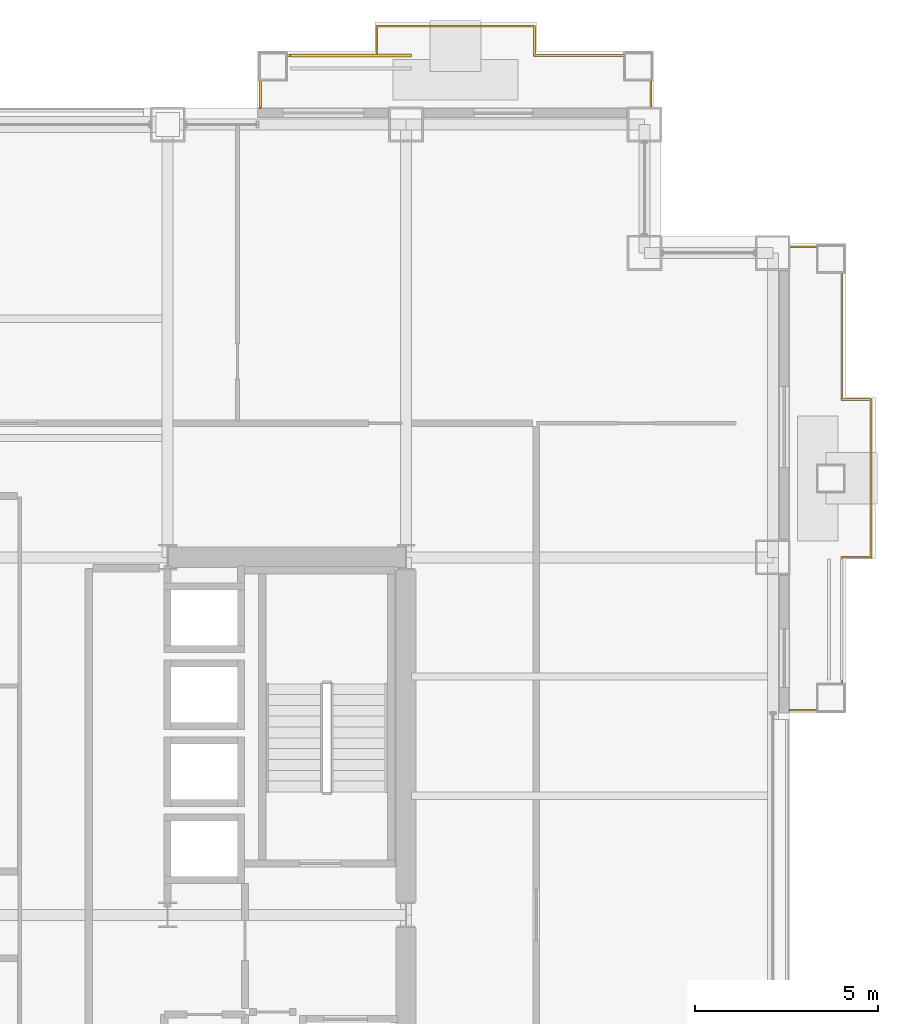
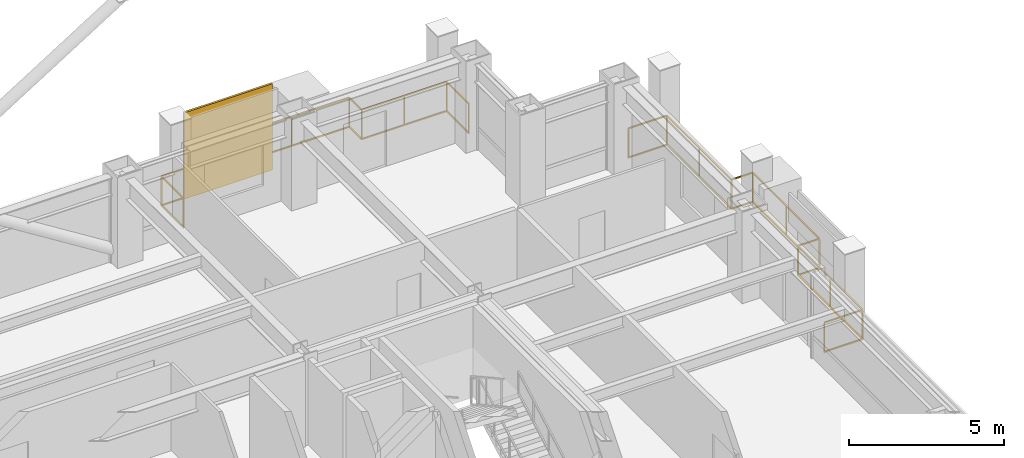
# One storey, part 32 of 33: 2 railings, 1 shading device.
"""IFC4 building model written with IfcOpenShell, lengths in metres."""

from ifc_helpers import new_model, si_unit, direction, frame, origin, origin_2d, place, context, subcontext, project, spatial, rectangle, extrude, material, layer, layer_set, type_object, element, save


model = new_model("IFC4")

# Units and contexts
model_context = context("Model", 3, precision=1e-05, world=origin(), true_north=direction((0.0, 1.0)))
body_context = subcontext(model_context, "Body", "Model", "MODEL_VIEW")
ifc_project = project(units=[si_unit("LENGTHUNIT", "METRE"), si_unit("AREAUNIT", "SQUARE_METRE"), si_unit("VOLUMEUNIT", "CUBIC_METRE"), si_unit("PLANEANGLEUNIT", "RADIAN"), si_unit("MASSUNIT", "GRAM", prefix="KILO")], contexts=[model_context])

# Site, building, storey
site_placement = place(None, origin())
site = spatial("IfcSite", under=ifc_project, at=site_placement, CompositionType="ELEMENT")
building_placement = place(site_placement, origin())
building = spatial("IfcBuilding", under=site, at=building_placement, Name="Brelmoor Portico Tower", CompositionType="ELEMENT")
storey_placement = place(building_placement, frame((0.0, 0.0, 34.800048828125)))
storey = spatial("IfcBuildingStorey", under=building, at=storey_placement, Name="L08", CompositionType="ELEMENT", Elevation=34.800048828125)

# Railings
ifc_material_1 = material(Name="Perforated Pale Champagne Aluminium Fretwork Guard", Category="aluminium")
railing_type = type_object("IfcRailingType", Name="RL-BALUSTRADE-1200", PredefinedType="BALUSTRADE", material=ifc_material_1)
railing_1_placement = place(storey_placement, frame((10.580078125, 22.0, 0.0)))
element("IfcRailing", 1, at=railing_1_placement, inside=storey, type_object=railing_type, Name="L08 Tree Balcony Fretwork Balustrade N", PredefinedType="BALUSTRADE", context=body_context, shape_type="SweptSolid", body=[
    extrude(rectangle(XDim=0.048095703125, YDim=0.048095703125, at=origin_2d()), frame((0.0, 0.0, 1.17578125), z_axis=(0.0, 1.0, 0.0), x_axis=(-1.0, 0.0, 0.0)), (0.0, 0.0, 1.0), 1.429931640625),
    extrude(rectangle(XDim=0.048095703125, YDim=0.048095703125, at=origin_2d()), frame((0.0, 0.0, 0.02392578125), z_axis=(0.0, 1.0, 0.0), x_axis=(-1.0, 0.0, 0.0)), (0.0, 0.0, 1.0), 1.429931640625),
    extrude(rectangle(XDim=0.048095703125, YDim=0.048095703125, at=origin_2d()), frame((0.0, 1.429931640625, 1.17578125), z_axis=(1.0, 0.0, 0.0), x_axis=(0.0, 1.0, 0.0)), (0.0, 0.0, 1.0), 3.169921875),
    extrude(rectangle(XDim=0.048095703125, YDim=0.048095703125, at=origin_2d()), frame((0.0, 1.429931640625, 0.02392578125), z_axis=(1.0, 0.0, 0.0), x_axis=(0.0, 1.0, 0.0)), (0.0, 0.0, 1.0), 3.169921875),
    extrude(rectangle(XDim=0.048095703125, YDim=0.048095703125, at=origin_2d()), frame((3.169921875, 1.429931640625, 1.17578125), z_axis=(0.0, 1.0, 0.0), x_axis=(-1.0, 0.0, 0.0)), (0.0, 0.0, 1.0), 0.800048828125),
    extrude(rectangle(XDim=0.048095703125, YDim=0.048095703125, at=origin_2d()), frame((3.169921875, 1.429931640625, 0.02392578125), z_axis=(0.0, 1.0, 0.0), x_axis=(-1.0, 0.0, 0.0)), (0.0, 0.0, 1.0), 0.800048828125),
    extrude(rectangle(XDim=0.048095703125, YDim=0.048095703125, at=origin_2d()), frame((3.169921875, 2.22998046875, 1.17578125), z_axis=(1.0, 0.0, 0.0), x_axis=(0.0, 1.0, 0.0)), (0.0, 0.0, 1.0), 4.300048828125),
    extrude(rectangle(XDim=0.048095703125, YDim=0.048095703125, at=origin_2d()), frame((3.169921875, 2.22998046875, 0.02392578125), z_axis=(1.0, 0.0, 0.0), x_axis=(0.0, 1.0, 0.0)), (0.0, 0.0, 1.0), 4.300048828125),
    extrude(rectangle(XDim=0.048095703125, YDim=0.048095703125, at=origin_2d()), frame((7.469970703125, 2.22998046875, 1.17578125), z_axis=(0.0, -1.0, 0.0), x_axis=(1.0, 0.0, 0.0)), (0.0, 0.0, 1.0), 0.800048828125),
    extrude(rectangle(XDim=0.048095703125, YDim=0.048095703125, at=origin_2d()), frame((7.469970703125, 2.22998046875, 0.02392578125), z_axis=(0.0, -1.0, 0.0), x_axis=(1.0, 0.0, 0.0)), (0.0, 0.0, 1.0), 0.800048828125),
    extrude(rectangle(XDim=0.048095703125, YDim=0.048095703125, at=origin_2d()), frame((7.469970703125, 1.429931640625, 1.17578125), z_axis=(1.0, 0.0, 0.0), x_axis=(0.0, 1.0, 0.0)), (0.0, 0.0, 1.0), 3.169921875),
    extrude(rectangle(XDim=0.048095703125, YDim=0.048095703125, at=origin_2d()), frame((7.469970703125, 1.429931640625, 0.02392578125), z_axis=(1.0, 0.0, 0.0), x_axis=(0.0, 1.0, 0.0)), (0.0, 0.0, 1.0), 3.169921875),
    extrude(rectangle(XDim=0.048095703125, YDim=0.048095703125, at=origin_2d()), frame((10.639892578125, 1.429931640625, 1.17578125), z_axis=(0.0, -1.0, 0.0), x_axis=(1.0, 0.0, 0.0)), (0.0, 0.0, 1.0), 1.429931640625),
    extrude(rectangle(XDim=0.048095703125, YDim=0.048095703125, at=origin_2d()), frame((10.639892578125, 1.429931640625, 0.02392578125), z_axis=(0.0, -1.0, 0.0), x_axis=(1.0, 0.0, 0.0)), (0.0, 0.0, 1.0), 1.429931640625),
    extrude(rectangle(XDim=0.0419921875, YDim=0.0419921875, at=origin_2d()), origin(), (0.0, 0.0, 1.0), 1.15185546875),
    extrude(rectangle(XDim=0.0419921875, YDim=0.0419921875, at=origin_2d()), frame((0.0, 1.429931640625, 0.0)), (0.0, 0.0, 1.0), 1.15185546875),
    extrude(rectangle(XDim=0.0419921875, YDim=0.0419921875, at=origin_2d()), frame((1.5849609375, 1.429931640625, 0.0)), (0.0, 0.0, 1.0), 1.15185546875),
    extrude(rectangle(XDim=0.0419921875, YDim=0.0419921875, at=origin_2d()), frame((3.169921875, 1.429931640625, 0.0)), (0.0, 0.0, 1.0), 1.15185546875),
    extrude(rectangle(XDim=0.0419921875, YDim=0.0419921875, at=origin_2d()), frame((3.169921875, 2.22998046875, 0.0)), (0.0, 0.0, 1.0), 1.15185546875),
    extrude(rectangle(XDim=0.0419921875, YDim=0.0419921875, at=origin_2d()), frame((5.31982421875, 2.22998046875, 0.0)), (0.0, 0.0, 1.0), 1.15185546875),
    extrude(rectangle(XDim=0.0419921875, YDim=0.0419921875, at=origin_2d()), frame((7.469970703125, 2.22998046875, 0.0)), (0.0, 0.0, 1.0), 1.15185546875),
    extrude(rectangle(XDim=0.0419921875, YDim=0.0419921875, at=origin_2d()), frame((7.469970703125, 1.429931640625, 0.0)), (0.0, 0.0, 1.0), 1.15185546875),
    extrude(rectangle(XDim=0.0419921875, YDim=0.0419921875, at=origin_2d()), frame((9.054931640625, 1.429931640625, 0.0)), (0.0, 0.0, 1.0), 1.15185546875),
    extrude(rectangle(XDim=0.0419921875, YDim=0.0419921875, at=origin_2d()), frame((10.639892578125, 1.429931640625, 0.0)), (0.0, 0.0, 1.0), 1.15185546875),
    extrude(rectangle(XDim=0.0419921875, YDim=0.0419921875, at=origin_2d()), frame((10.639892578125, 0.0, 0.0)), (0.0, 0.0, 1.0), 1.15185546875),
])
railing_2_placement = place(storey_placement, frame((25.0, 5.580078125, 0.0)))
element("IfcRailing", 2, at=railing_2_placement, inside=storey, type_object=railing_type, Name="L08 Tree Balcony Fretwork Balustrade E", PredefinedType="BALUSTRADE", context=body_context, shape_type="SweptSolid", body=[
    extrude(rectangle(XDim=0.048095703125, YDim=0.048095703125, at=origin_2d()), frame((0.0, 0.0, 1.17578125), z_axis=(1.0, 0.0, 0.0), x_axis=(0.0, 1.0, 0.0)), (0.0, 0.0, 1.0), 1.429931640625),
    extrude(rectangle(XDim=0.048095703125, YDim=0.048095703125, at=origin_2d()), frame((0.0, 0.0, 0.02392578125), z_axis=(1.0, 0.0, 0.0), x_axis=(0.0, 1.0, 0.0)), (0.0, 0.0, 1.0), 1.429931640625),
    extrude(rectangle(XDim=0.048095703125, YDim=0.048095703125, at=origin_2d()), frame((1.429931640625, 0.0, 1.17578125), z_axis=(0.0, 1.0, 0.0), x_axis=(-1.0, 0.0, 0.0)), (0.0, 0.0, 1.0), 4.169921875),
    extrude(rectangle(XDim=0.048095703125, YDim=0.048095703125, at=origin_2d()), frame((1.429931640625, 0.0, 0.02392578125), z_axis=(0.0, 1.0, 0.0), x_axis=(-1.0, 0.0, 0.0)), (0.0, 0.0, 1.0), 4.169921875),
    extrude(rectangle(XDim=0.048095703125, YDim=0.048095703125, at=origin_2d()), frame((1.429931640625, 4.169921875, 1.17578125), z_axis=(1.0, 0.0, 0.0), x_axis=(0.0, 1.0, 0.0)), (0.0, 0.0, 1.0), 0.800048828125),
    extrude(rectangle(XDim=0.048095703125, YDim=0.048095703125, at=origin_2d()), frame((1.429931640625, 4.169921875, 0.02392578125), z_axis=(1.0, 0.0, 0.0), x_axis=(0.0, 1.0, 0.0)), (0.0, 0.0, 1.0), 0.800048828125),
    extrude(rectangle(XDim=0.048095703125, YDim=0.048095703125, at=origin_2d()), frame((2.22998046875, 4.169921875, 1.17578125), z_axis=(0.0, 1.0, 0.0), x_axis=(-1.0, 0.0, 0.0)), (0.0, 0.0, 1.0), 4.300048828125),
    extrude(rectangle(XDim=0.048095703125, YDim=0.048095703125, at=origin_2d()), frame((2.22998046875, 4.169921875, 0.02392578125), z_axis=(0.0, 1.0, 0.0), x_axis=(-1.0, 0.0, 0.0)), (0.0, 0.0, 1.0), 4.300048828125),
    extrude(rectangle(XDim=0.048095703125, YDim=0.048095703125, at=origin_2d()), frame((2.22998046875, 8.469970703125, 1.17578125), z_axis=(-1.0, 0.0, 0.0), x_axis=(0.0, -1.0, 0.0)), (0.0, 0.0, 1.0), 0.800048828125),
    extrude(rectangle(XDim=0.048095703125, YDim=0.048095703125, at=origin_2d()), frame((2.22998046875, 8.469970703125, 0.02392578125), z_axis=(-1.0, 0.0, 0.0), x_axis=(0.0, -1.0, 0.0)), (0.0, 0.0, 1.0), 0.800048828125),
    extrude(rectangle(XDim=0.048095703125, YDim=0.048095703125, at=origin_2d()), frame((1.429931640625, 8.469970703125, 1.17578125), z_axis=(0.0, 1.0, 0.0), x_axis=(-1.0, 0.0, 0.0)), (0.0, 0.0, 1.0), 4.169921875),
    extrude(rectangle(XDim=0.048095703125, YDim=0.048095703125, at=origin_2d()), frame((1.429931640625, 8.469970703125, 0.02392578125), z_axis=(0.0, 1.0, 0.0), x_axis=(-1.0, 0.0, 0.0)), (0.0, 0.0, 1.0), 4.169921875),
    extrude(rectangle(XDim=0.048095703125, YDim=0.048095703125, at=origin_2d()), frame((1.429931640625, 12.639892578125, 1.17578125), z_axis=(-1.0, 0.0, 0.0), x_axis=(0.0, -1.0, 0.0)), (0.0, 0.0, 1.0), 1.429931640625),
    extrude(rectangle(XDim=0.048095703125, YDim=0.048095703125, at=origin_2d()), frame((1.429931640625, 12.639892578125, 0.02392578125), z_axis=(-1.0, 0.0, 0.0), x_axis=(0.0, -1.0, 0.0)), (0.0, 0.0, 1.0), 1.429931640625),
    extrude(rectangle(XDim=0.0419921875, YDim=0.0419921875, at=origin_2d()), origin(), (0.0, 0.0, 1.0), 1.15185546875),
    extrude(rectangle(XDim=0.0419921875, YDim=0.0419921875, at=origin_2d()), frame((1.429931640625, 0.0, 0.0)), (0.0, 0.0, 1.0), 1.15185546875),
    extrude(rectangle(XDim=0.0419921875, YDim=0.0419921875, at=origin_2d()), frame((1.429931640625, 2.0849609375, 0.0)), (0.0, 0.0, 1.0), 1.15185546875),
    extrude(rectangle(XDim=0.0419921875, YDim=0.0419921875, at=origin_2d()), frame((1.429931640625, 4.169921875, 0.0)), (0.0, 0.0, 1.0), 1.15185546875),
    extrude(rectangle(XDim=0.0419921875, YDim=0.0419921875, at=origin_2d()), frame((2.22998046875, 4.169921875, 0.0)), (0.0, 0.0, 1.0), 1.15185546875),
    extrude(rectangle(XDim=0.0419921875, YDim=0.0419921875, at=origin_2d()), frame((2.22998046875, 6.31982421875, 0.0)), (0.0, 0.0, 1.0), 1.15185546875),
    extrude(rectangle(XDim=0.0419921875, YDim=0.0419921875, at=origin_2d()), frame((2.22998046875, 8.469970703125, 0.0)), (0.0, 0.0, 1.0), 1.15185546875),
    extrude(rectangle(XDim=0.0419921875, YDim=0.0419921875, at=origin_2d()), frame((1.429931640625, 8.469970703125, 0.0)), (0.0, 0.0, 1.0), 1.15185546875),
    extrude(rectangle(XDim=0.0419921875, YDim=0.0419921875, at=origin_2d()), frame((1.429931640625, 10.554931640625, 0.0)), (0.0, 0.0, 1.0), 1.15185546875),
    extrude(rectangle(XDim=0.0419921875, YDim=0.0419921875, at=origin_2d()), frame((1.429931640625, 12.639892578125, 0.0)), (0.0, 0.0, 1.0), 1.15185546875),
    extrude(rectangle(XDim=0.0419921875, YDim=0.0419921875, at=origin_2d()), frame((0.0, 12.639892578125, 0.0)), (0.0, 0.0, 1.0), 1.15185546875),
])

# Shading device
ifc_material_2 = material(Name="Powder-Coated Aluminium Shuttered Jalousie", Category="aluminium")
ifc_layer = layer(ifc_material_2, 0.080078125)
ifc_layer_set = layer_set([ifc_layer], Name="Powder-Coated Aluminium Shuttered Jalousie")
shading_device_type = type_object("IfcShadingDeviceType", Name="SD-JALOUSIE-LOGGIA", PredefinedType="JALOUSIE", material=ifc_layer_set)
shading_device_placement = place(storey_placement, frame((13.050048828125, 23.429931640625, 0.0), z_axis=(0.0, 0.0, 1.0), x_axis=(1.0, 0.0, 0.0)))
element("IfcShadingDevice", 3, at=shading_device_placement, inside=storey, type_object=shading_device_type, Name="L08 Loggia Shuttered Jalousie N", PredefinedType="JALOUSIE", context=body_context, shape_type="SweptSolid", body=[
    extrude(rectangle(XDim=3.300048828125, YDim=0.080078125, at=origin_2d()), origin(), (0.0, 0.0, 1.0), 3.39990234375),
])

save(model, "model.ifc")
